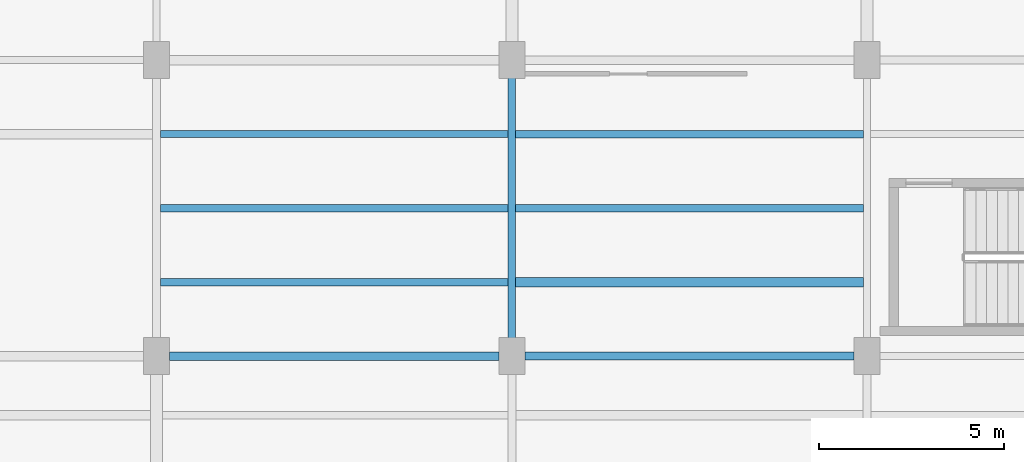
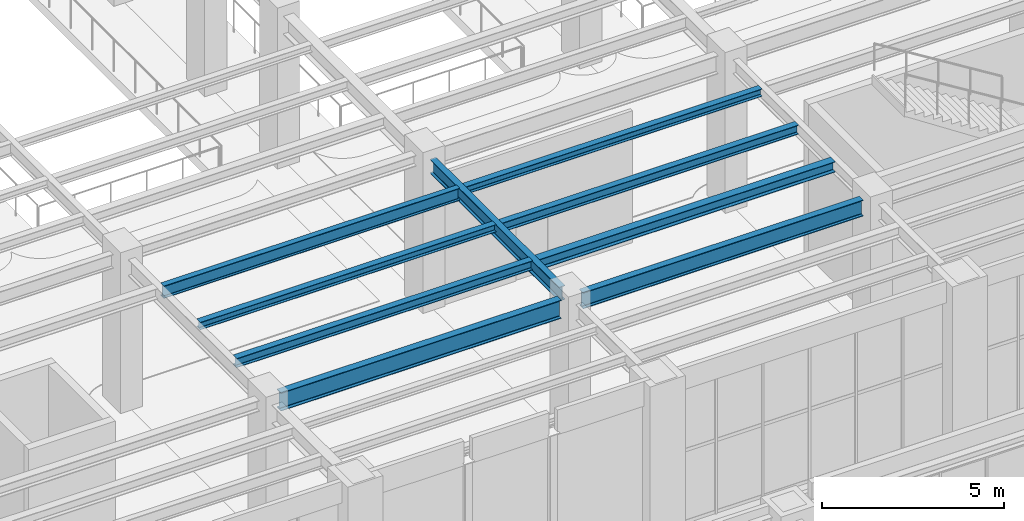
# One storey, part 100 of 164: 9 beams.
"""IFC4 building model written with IfcOpenShell, lengths in metres."""

from ifc_helpers import new_model, si_unit, direction, frame, origin, origin_2d, place, context, subcontext, project, spatial, i_section, extrude, material, material_profile, profile_set, type_object, element, save


model = new_model("IFC4")

# Units and contexts
model_context = context("Model", 3, precision=1e-05, world=origin(), true_north=direction((0.0, 1.0)))
body_context = subcontext(model_context, "Body", "Model", "MODEL_VIEW")
ifc_project = project(units=[si_unit("LENGTHUNIT", "METRE"), si_unit("AREAUNIT", "SQUARE_METRE"), si_unit("VOLUMEUNIT", "CUBIC_METRE"), si_unit("PLANEANGLEUNIT", "RADIAN"), si_unit("MASSUNIT", "GRAM", prefix="KILO")], contexts=[model_context])

# Site, building, storey
site_placement = place(None, origin())
site = spatial("IfcSite", under=ifc_project, at=site_placement, CompositionType="ELEMENT")
building_placement = place(site_placement, origin())
building = spatial("IfcBuilding", under=site, at=building_placement, Name="Mavantir Sound Aquarium", CompositionType="ELEMENT")
storey_placement = place(building_placement, origin())
storey = spatial("IfcBuildingStorey", under=building, at=storey_placement, Name="L00", CompositionType="ELEMENT", Elevation=0.0)

# Beams
ifc_material = material(Name="Structural Steel ASTM A992 Gr50", Category="steel")
ifc_material_profile_1 = material_profile(ifc_material, i_section(OverallWidth=0.202880859375, OverallDepth=0.251953125, WebThickness=0.008056640625, FlangeThickness=0.013427734375, FilletRadius=0.011962890625, at=origin_2d()), Name="W250X58")
ifc_profile_set_1 = profile_set([ifc_material_profile_1], Name="Structural Steel ASTM A992 Gr50")
beam_type_1 = type_object("IfcBeamType", Name="BM-W250X58-I", PredefinedType="JOIST", material=ifc_profile_set_1)
beam_1_placement = place(storey_placement, frame((127.305908203125, 44.800048828125, 4.9599609375), z_axis=(1.0, 0.0, 0.0), x_axis=(0.0, 1.0, 0.0)))
element("IfcBeam", 1, at=beam_1_placement, inside=storey, type_object=beam_type_1, Name="L00 secondary floor joist SJ-25 524", PredefinedType="JOIST", context=body_context, shape_type="SweptSolid", body=[
    extrude(i_section(OverallWidth=0.202880859375, OverallDepth=0.251953125, WebThickness=0.008056640625, FlangeThickness=0.013427734375, FilletRadius=0.011962890625, at=origin_2d()), origin(), (0.0, 0.0, 1.0), 9.39697265625),
])
beam_2_placement = place(storey_placement, frame((136.89697265625, 46.800048828125, 4.93994140625), z_axis=(1.0, 0.0, 0.0), x_axis=(0.0, 1.0, 0.0)))
element("IfcBeam", 2, at=beam_2_placement, inside=storey, type_object=beam_type_1, Name="L00 secondary floor joist SJ-25 528", PredefinedType="JOIST", context=body_context, shape_type="SweptSolid", body=[
    extrude(i_section(OverallWidth=0.202880859375, OverallDepth=0.251953125, WebThickness=0.008056640625, FlangeThickness=0.013427734375, FilletRadius=0.011962890625, at=origin_2d()), origin(), (0.0, 0.0, 1.0), 9.406005859375),
])
ifc_material_profile_2 = material_profile(ifc_material, i_section(OverallWidth=0.205078125, OverallDepth=0.31005859375, WebThickness=0.009521484375, FlangeThickness=0.016357421875, FilletRadius=0.012939453125, at=origin_2d()), Name="W310X74")
ifc_profile_set_2 = profile_set([ifc_material_profile_2], Name="Structural Steel ASTM A992 Gr50")
beam_type_2 = type_object("IfcBeamType", Name="BM-W310X74-I", PredefinedType="JOIST", material=ifc_profile_set_2)
beam_3_placement = place(storey_placement, frame((127.305908203125, 42.800048828125, 4.930908203125), z_axis=(1.0, 0.0, 0.0), x_axis=(0.0, 1.0, 0.0)))
element("IfcBeam", 3, at=beam_3_placement, inside=storey, type_object=beam_type_2, Name="L00 secondary floor joist SJ-31 523", PredefinedType="JOIST", context=body_context, shape_type="SweptSolid", body=[
    extrude(i_section(OverallWidth=0.205078125, OverallDepth=0.31005859375, WebThickness=0.009521484375, FlangeThickness=0.016357421875, FilletRadius=0.012939453125, at=origin_2d()), origin(), (0.0, 0.0, 1.0), 9.39697265625),
])
beam_4_placement = place(storey_placement, frame((136.89697265625, 44.800048828125, 4.910888671875), z_axis=(1.0, 0.0, 0.0), x_axis=(0.0, 1.0, 0.0)))
element("IfcBeam", 4, at=beam_4_placement, inside=storey, type_object=beam_type_2, Name="L00 secondary floor joist SJ-31 527", PredefinedType="JOIST", context=body_context, shape_type="SweptSolid", body=[
    extrude(i_section(OverallWidth=0.205078125, OverallDepth=0.31005859375, WebThickness=0.009521484375, FlangeThickness=0.016357421875, FilletRadius=0.012939453125, at=origin_2d()), origin(), (0.0, 0.0, 1.0), 9.406005859375),
])
ifc_material_profile_3 = material_profile(ifc_material, i_section(OverallWidth=0.25390625, OverallDepth=0.35302734375, WebThickness=0.009521484375, FlangeThickness=0.016357421875, FilletRadius=0.014892578125, at=origin_2d()), Name="W360X91")
ifc_profile_set_3 = profile_set([ifc_material_profile_3], Name="Structural Steel ASTM A992 Gr50")
beam_type_3 = type_object("IfcBeamType", Name="BM-W360X91-I", PredefinedType="JOIST", material=ifc_profile_set_3)
beam_5_placement = place(storey_placement, frame((136.89697265625, 42.800048828125, 4.889404296875), z_axis=(1.0, 0.0, 0.0), x_axis=(0.0, 1.0, 0.0)))
element("IfcBeam", 5, at=beam_5_placement, inside=storey, type_object=beam_type_3, Name="L00 secondary floor joist SJ-36 526", PredefinedType="JOIST", context=body_context, shape_type="SweptSolid", body=[
    extrude(i_section(OverallWidth=0.25390625, OverallDepth=0.35302734375, WebThickness=0.009521484375, FlangeThickness=0.016357421875, FilletRadius=0.014892578125, at=origin_2d()), origin(), (0.0, 0.0, 1.0), 9.406005859375),
])
ifc_material_profile_4 = material_profile(ifc_material, i_section(OverallWidth=0.180908203125, OverallDepth=0.4169921875, WebThickness=0.010986328125, FlangeThickness=0.018310546875, FilletRadius=0.014892578125, at=origin_2d()), Name="W410X85")
ifc_profile_set_4 = profile_set([ifc_material_profile_4], Name="Structural Steel ASTM A992 Gr50")
beam_type_4 = type_object("IfcBeamType", Name="BM-W410X85-I", PredefinedType="JOIST", material=ifc_profile_set_4)
beam_6_placement = place(storey_placement, frame((127.305908203125, 46.800048828125, 4.87744140625), z_axis=(1.0, 0.0, 0.0), x_axis=(0.0, 1.0, 0.0)))
element("IfcBeam", 6, at=beam_6_placement, inside=storey, type_object=beam_type_4, Name="L00 secondary floor joist SJ-41 525", PredefinedType="JOIST", context=body_context, shape_type="SweptSolid", body=[
    extrude(i_section(OverallWidth=0.180908203125, OverallDepth=0.4169921875, WebThickness=0.010986328125, FlangeThickness=0.018310546875, FilletRadius=0.014892578125, at=origin_2d()), origin(), (0.0, 0.0, 1.0), 9.39697265625),
])
ifc_material_profile_5 = material_profile(ifc_material, i_section(OverallWidth=0.194091796875, OverallDepth=0.468994140625, WebThickness=0.0126953125, FlangeThickness=0.0205078125, FilletRadius=0.01611328125, at=origin_2d()), Name="W460X106")
ifc_profile_set_5 = profile_set([ifc_material_profile_5], Name="Structural Steel ASTM A992 Gr50")
beam_type_5 = type_object("IfcBeamType", Name="BM-W460X106-I", PredefinedType="BEAM", material=ifc_profile_set_5)
beam_7_placement = place(storey_placement, frame((136.800048828125, 41.25, 4.83154296875), z_axis=(0.0, 1.0, 0.0), x_axis=(-1.0, 0.0, 0.0)))
element("IfcBeam", 7, at=beam_7_placement, inside=storey, type_object=beam_type_5, Name="L00 primary girder SB-46 996", PredefinedType="BEAM", context=body_context, shape_type="SweptSolid", body=[
    extrude(i_section(OverallWidth=0.194091796875, OverallDepth=0.468994140625, WebThickness=0.0126953125, FlangeThickness=0.0205078125, FilletRadius=0.01611328125, at=origin_2d()), origin(), (0.0, 0.0, 1.0), 7.10009765625),
])
ifc_material_profile_6 = material_profile(ifc_material, i_section(OverallWidth=0.2119140625, OverallDepth=0.5439453125, WebThickness=0.01318359375, FlangeThickness=0.021240234375, FilletRadius=0.01806640625, at=origin_2d()), Name="W530X123")
ifc_profile_set_6 = profile_set([ifc_material_profile_6], Name="Structural Steel ASTM A992 Gr50")
beam_type_6 = type_object("IfcBeamType", Name="BM-W530X123-I", PredefinedType="BEAM", material=ifc_profile_set_6)
beam_8_placement = place(storey_placement, frame((137.14990234375, 40.800048828125, 4.7939453125), z_axis=(1.0, 0.0, 0.0), x_axis=(0.0, 1.0, 0.0)))
element("IfcBeam", 8, at=beam_8_placement, inside=storey, type_object=beam_type_6, Name="L00 primary beam SB-53 934", PredefinedType="BEAM", context=body_context, shape_type="SweptSolid", body=[
    extrude(i_section(OverallWidth=0.2119140625, OverallDepth=0.5439453125, WebThickness=0.01318359375, FlangeThickness=0.021240234375, FilletRadius=0.01806640625, at=origin_2d()), origin(), (0.0, 0.0, 1.0), 8.900146484375),
])
ifc_material_profile_7 = material_profile(ifc_material, i_section(OverallWidth=0.22900390625, OverallDepth=0.612060546875, WebThickness=0.011962890625, FlangeThickness=0.01953125, FilletRadius=0.01904296875, at=origin_2d()), Name="W610X125")
ifc_profile_set_7 = profile_set([ifc_material_profile_7], Name="Structural Steel ASTM A992 Gr50")
beam_type_7 = type_object("IfcBeamType", Name="BM-W610X125-I", PredefinedType="BEAM", material=ifc_profile_set_7)
beam_9_placement = place(storey_placement, frame((127.550048828125, 40.800048828125, 4.760009765625), z_axis=(1.0, 0.0, 0.0), x_axis=(0.0, 1.0, 0.0)))
element("IfcBeam", 9, at=beam_9_placement, inside=storey, type_object=beam_type_7, Name="L00 primary beam SB-61B 933", PredefinedType="BEAM", context=body_context, shape_type="SweptSolid", body=[
    extrude(i_section(OverallWidth=0.22900390625, OverallDepth=0.612060546875, WebThickness=0.011962890625, FlangeThickness=0.01953125, FilletRadius=0.01904296875, at=origin_2d()), origin(), (0.0, 0.0, 1.0), 8.89990234375),
])

save(model, "model.ifc")
